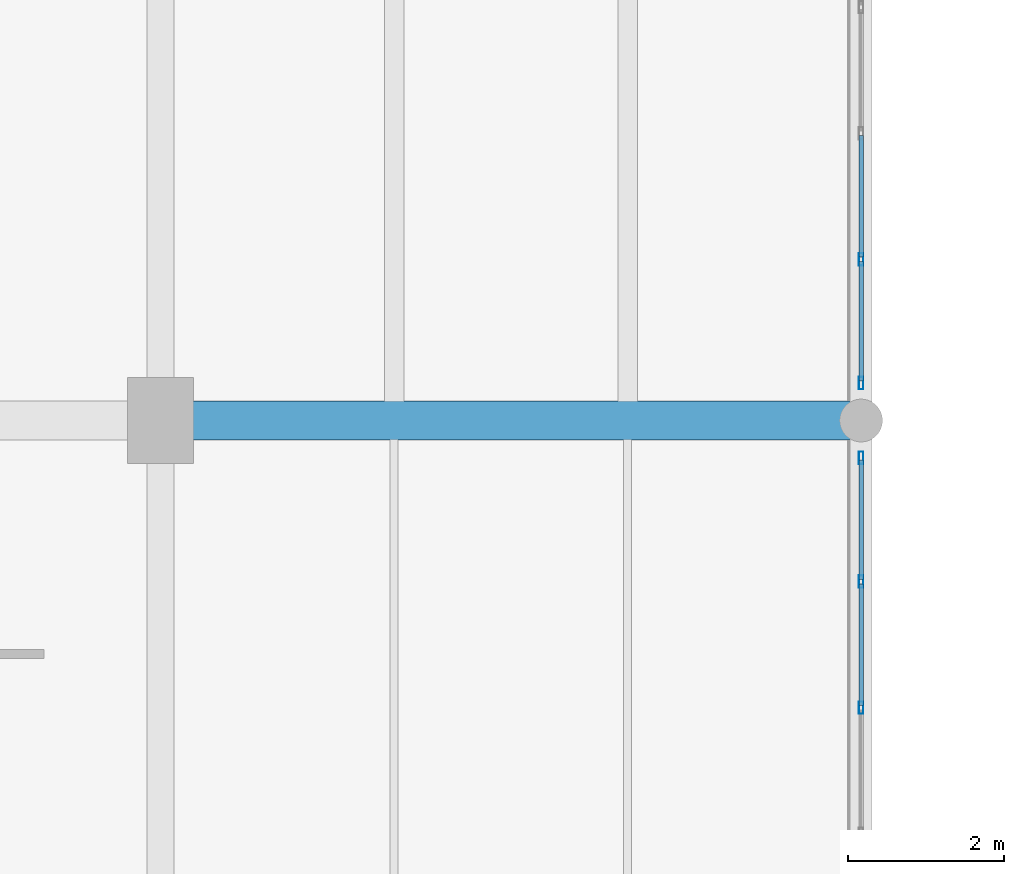
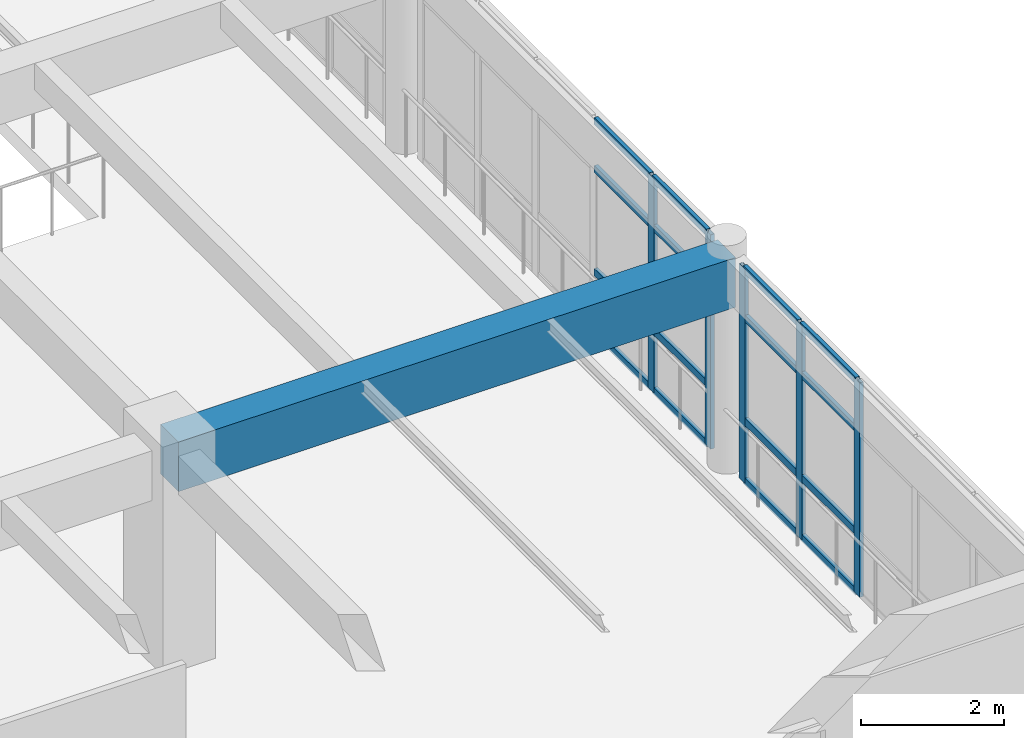
# One storey, part 24 of 156: 21 members, 1 beam, 2 elements without a shape of their own.
"""IFC4 building model written with IfcOpenShell, lengths in metres."""

from ifc_helpers import new_model, si_unit, direction, frame, origin, origin_2d, place, context, subcontext, project, spatial, rectangle, hollow_rectangle, extrude, material, layer, layer_set, material_profile, profile_set, type_object, element, aggregate, save


model = new_model("IFC4")

# Units and contexts
model_context = context("Model", 3, precision=1e-05, world=origin(), true_north=direction((0.0, 1.0)))
body_context = subcontext(model_context, "Body", "Model", "MODEL_VIEW")
ifc_project = project(units=[si_unit("LENGTHUNIT", "METRE"), si_unit("AREAUNIT", "SQUARE_METRE"), si_unit("VOLUMEUNIT", "CUBIC_METRE"), si_unit("PLANEANGLEUNIT", "RADIAN"), si_unit("MASSUNIT", "GRAM", prefix="KILO")], contexts=[model_context])

# Site, building, storey
site_placement = place(None, origin())
site = spatial("IfcSite", under=ifc_project, at=site_placement, CompositionType="ELEMENT")
building_placement = place(site_placement, origin())
building = spatial("IfcBuilding", under=site, at=building_placement, Name="Ornek Quay Market", CompositionType="ELEMENT")
storey_placement = place(building_placement, frame((0.0, 0.0, 4.5)))
storey = spatial("IfcBuildingStorey", under=building, at=storey_placement, Name="L01", CompositionType="ELEMENT", Elevation=4.5)

# Beam
ifc_material_1 = material(Name="Concrete C40/50", Category="concrete")
ifc_material_profile_1 = material_profile(ifc_material_1, rectangle(XDim=0.5, YDim=0.85009765625, at=origin_2d()), Name="RC 500x850", Category="concrete")
ifc_profile_set_1 = profile_set([ifc_material_profile_1], Name="Concrete C40/50")
beam_type = type_object("IfcBeamType", Name="BM-GAL-500x850", PredefinedType="BEAM", material=ifc_profile_set_1)
beam_placement = place(storey_placement, frame((63.0, 38.0, 3.235107421875), z_axis=(1.0, 0.0, 0.0), x_axis=(0.0, 1.0, 0.0)))
element("IfcBeam", 1, at=beam_placement, inside=storey, type_object=beam_type, Name="Primary beam B-GL1-066", PredefinedType="BEAM", context=body_context, shape_type="SweptSolid", body=[
    extrude(rectangle(XDim=0.5, YDim=0.85009765625, at=origin_2d()), origin(), (0.0, 0.0, 1.0), 9.0),
])

# Curtain wall, members
ifc_material_2 = material(Name="Anodised bronze aluminium and triple low-e glass", Category="aluminium")
ifc_layer = layer(ifc_material_2, 0.139892578125, Name="Anodised bronze aluminium and triple low-e glass", Category="aluminium")
ifc_layer_set = layer_set([ifc_layer], Name="Anodised bronze aluminium and triple low-e glass")
curtain_wall_type = type_object("IfcCurtainWallType", Name="CW-GALLERY-INT", PredefinedType="USERDEFINED", material=ifc_layer_set)
curtain_wall_1_placement = place(storey_placement, origin())
curtain_wall_1 = element("IfcCurtainWall", 2, at=curtain_wall_1_placement, inside=storey, type_object=curtain_wall_type, Name="Curtain wall CW-097", ObjectType="CURTAIN WALL", PredefinedType="USERDEFINED")
ifc_material_3 = material(Name="Anodised aluminium 6063-T6", Category="aluminium")
ifc_material_profile_2 = material_profile(ifc_material_3, hollow_rectangle(XDim=0.06005859375, YDim=0.159912109375, WallThickness=0.00390625, at=origin_2d()), Name="CW-MUL-60x160", Category="aluminium")
ifc_profile_set_2 = profile_set([ifc_material_profile_2], Name="Anodised aluminium 6063-T6")
member_type_1 = type_object("IfcMemberType", Name="CW-MUL-60x160", PredefinedType="MULLION", material=ifc_profile_set_2)
member_1_placement = place(storey_placement, frame((72.0, 34.31005859375, 0.0), z_axis=(0.0, 0.0, 1.0), x_axis=(-1.0, 0.0, 0.0)))
member_1 = element("IfcMember", 3, at=member_1_placement, type_object=member_type_1, Name="CW-097 mullion 4", PredefinedType="MULLION", context=body_context, shape_type="SweptSolid", body=[
    extrude(hollow_rectangle(XDim=0.06005859375, YDim=0.159912109375, WallThickness=0.00390625, at=origin_2d()), origin(), (0.0, 0.0, 1.0), 3.659912109375),
])
member_2_placement = place(storey_placement, frame((72.0, 35.929931640625, 0.0), z_axis=(0.0, 0.0, 1.0), x_axis=(-1.0, 0.0, 0.0)))
member_2 = element("IfcMember", 4, at=member_2_placement, type_object=member_type_1, Name="CW-097 mullion 5", PredefinedType="MULLION", context=body_context, shape_type="SweptSolid", body=[
    extrude(hollow_rectangle(XDim=0.06005859375, YDim=0.159912109375, WallThickness=0.00390625, at=origin_2d()), origin(), (0.0, 0.0, 1.0), 3.659912109375),
])
member_3_placement = place(storey_placement, frame((72.0, 37.52001953125, 0.0), z_axis=(0.0, 0.0, 1.0), x_axis=(-1.0, 0.0, 0.0)))
member_3 = element("IfcMember", 5, at=member_3_placement, type_object=member_type_1, Name="CW-097 mullion 6", PredefinedType="MULLION", context=body_context, shape_type="SweptSolid", body=[
    extrude(hollow_rectangle(XDim=0.06005859375, YDim=0.159912109375, WallThickness=0.00390625, at=origin_2d()), origin(), (0.0, 0.0, 1.0), 3.659912109375),
])

curtain_wall_2_placement = place(storey_placement, origin())
curtain_wall_2 = element("IfcCurtainWall", 6, at=curtain_wall_2_placement, inside=storey, type_object=curtain_wall_type, Name="Curtain wall CW-098", ObjectType="CURTAIN WALL", PredefinedType="USERDEFINED")
member_4_placement = place(storey_placement, frame((72.0, 38.47998046875, 0.0), z_axis=(0.0, 0.0, 1.0), x_axis=(-1.0, 0.0, 0.0)))
member_4 = element("IfcMember", 7, at=member_4_placement, type_object=member_type_1, Name="CW-098 mullion 1", PredefinedType="MULLION", context=body_context, shape_type="SweptSolid", body=[
    extrude(hollow_rectangle(XDim=0.06005859375, YDim=0.159912109375, WallThickness=0.00390625, at=origin_2d()), origin(), (0.0, 0.0, 1.0), 3.659912109375),
])
member_5_placement = place(storey_placement, frame((72.0, 40.070068359375, 0.0), z_axis=(0.0, 0.0, 1.0), x_axis=(-1.0, 0.0, 0.0)))
member_5 = element("IfcMember", 8, at=member_5_placement, type_object=member_type_1, Name="CW-098 mullion 2", PredefinedType="MULLION", context=body_context, shape_type="SweptSolid", body=[
    extrude(hollow_rectangle(XDim=0.06005859375, YDim=0.159912109375, WallThickness=0.00390625, at=origin_2d()), origin(), (0.0, 0.0, 1.0), 3.659912109375),
])

# Member
ifc_material_profile_3 = material_profile(ifc_material_3, hollow_rectangle(XDim=0.06005859375, YDim=0.1201171875, WallThickness=0.00390625, at=origin_2d()), Name="CW-TRN-60x120", Category="aluminium")
ifc_profile_set_3 = profile_set([ifc_material_profile_3], Name="Anodised aluminium 6063-T6")
member_type_2 = type_object("IfcMemberType", Name="CW-TRN-60x120", PredefinedType="USERDEFINED", material=ifc_profile_set_3)
member_6_placement = place(storey_placement, frame((72.0, 34.340087890625, 0.030029296875), z_axis=(0.0, 1.0, 0.0), x_axis=(-1.0, 0.0, 0.0)))
member_6 = element("IfcMember", 9, at=member_6_placement, type_object=member_type_2, Name="CW-097 transom 4.1", ObjectType="TRANSOM", PredefinedType="USERDEFINED", context=body_context, shape_type="SweptSolid", body=[
    extrude(hollow_rectangle(XDim=0.06005859375, YDim=0.1201171875, WallThickness=0.00390625, at=origin_2d()), origin(), (0.0, 0.0, 1.0), 1.559814453125),
])

member_7_placement = place(storey_placement, frame((72.0, 34.340087890625, 1.050048828125), z_axis=(0.0, 1.0, 0.0), x_axis=(-1.0, 0.0, 0.0)))
member_7 = element("IfcMember", 10, at=member_7_placement, type_object=member_type_2, Name="CW-097 transom 4.2", ObjectType="TRANSOM", PredefinedType="USERDEFINED", context=body_context, shape_type="SweptSolid", body=[
    extrude(hollow_rectangle(XDim=0.06005859375, YDim=0.1201171875, WallThickness=0.00390625, at=origin_2d()), origin(), (0.0, 0.0, 1.0), 1.559814453125),
])

member_8_placement = place(storey_placement, frame((72.0, 34.340087890625, 2.81005859375), z_axis=(0.0, 1.0, 0.0), x_axis=(-1.0, 0.0, 0.0)))
member_8 = element("IfcMember", 11, at=member_8_placement, type_object=member_type_2, Name="CW-097 transom 4.3", ObjectType="TRANSOM", PredefinedType="USERDEFINED", context=body_context, shape_type="SweptSolid", body=[
    extrude(hollow_rectangle(XDim=0.06005859375, YDim=0.1201171875, WallThickness=0.00390625, at=origin_2d()), origin(), (0.0, 0.0, 1.0), 1.559814453125),
])

member_9_placement = place(storey_placement, frame((72.0, 34.340087890625, 3.6298828125), z_axis=(0.0, 1.0, 0.0), x_axis=(-1.0, 0.0, 0.0)))
member_9 = element("IfcMember", 12, at=member_9_placement, type_object=member_type_2, Name="CW-097 transom 4.4", ObjectType="TRANSOM", PredefinedType="USERDEFINED", context=body_context, shape_type="SweptSolid", body=[
    extrude(hollow_rectangle(XDim=0.06005859375, YDim=0.1201171875, WallThickness=0.00390625, at=origin_2d()), origin(), (0.0, 0.0, 1.0), 1.559814453125),
])

member_10_placement = place(storey_placement, frame((72.0, 35.9599609375, 0.030029296875), z_axis=(0.0, 1.0, 0.0), x_axis=(-1.0, 0.0, 0.0)))
member_10 = element("IfcMember", 13, at=member_10_placement, type_object=member_type_2, Name="CW-097 transom 5.1", ObjectType="TRANSOM", PredefinedType="USERDEFINED", context=body_context, shape_type="SweptSolid", body=[
    extrude(hollow_rectangle(XDim=0.06005859375, YDim=0.1201171875, WallThickness=0.00390625, at=origin_2d()), origin(), (0.0, 0.0, 1.0), 1.530029296875),
])

member_11_placement = place(storey_placement, frame((72.0, 35.9599609375, 1.050048828125), z_axis=(0.0, 1.0, 0.0), x_axis=(-1.0, 0.0, 0.0)))
member_11 = element("IfcMember", 14, at=member_11_placement, type_object=member_type_2, Name="CW-097 transom 5.2", ObjectType="TRANSOM", PredefinedType="USERDEFINED", context=body_context, shape_type="SweptSolid", body=[
    extrude(hollow_rectangle(XDim=0.06005859375, YDim=0.1201171875, WallThickness=0.00390625, at=origin_2d()), origin(), (0.0, 0.0, 1.0), 1.530029296875),
])

member_12_placement = place(storey_placement, frame((72.0, 35.9599609375, 2.81005859375), z_axis=(0.0, 1.0, 0.0), x_axis=(-1.0, 0.0, 0.0)))
member_12 = element("IfcMember", 15, at=member_12_placement, type_object=member_type_2, Name="CW-097 transom 5.3", ObjectType="TRANSOM", PredefinedType="USERDEFINED", context=body_context, shape_type="SweptSolid", body=[
    extrude(hollow_rectangle(XDim=0.06005859375, YDim=0.1201171875, WallThickness=0.00390625, at=origin_2d()), origin(), (0.0, 0.0, 1.0), 1.530029296875),
])

member_13_placement = place(storey_placement, frame((72.0, 35.9599609375, 3.6298828125), z_axis=(0.0, 1.0, 0.0), x_axis=(-1.0, 0.0, 0.0)))
member_13 = element("IfcMember", 16, at=member_13_placement, type_object=member_type_2, Name="CW-097 transom 5.4", ObjectType="TRANSOM", PredefinedType="USERDEFINED", context=body_context, shape_type="SweptSolid", body=[
    extrude(hollow_rectangle(XDim=0.06005859375, YDim=0.1201171875, WallThickness=0.00390625, at=origin_2d()), origin(), (0.0, 0.0, 1.0), 1.530029296875),
])

aggregate(curtain_wall_1, [member_1, member_2, member_3, member_6, member_7, member_8, member_9, member_10, member_11, member_12, member_13])

member_14_placement = place(storey_placement, frame((72.0, 38.510009765625, 0.030029296875), z_axis=(0.0, 1.0, 0.0), x_axis=(-1.0, 0.0, 0.0)))
member_14 = element("IfcMember", 17, at=member_14_placement, type_object=member_type_2, Name="CW-098 transom 1.1", ObjectType="TRANSOM", PredefinedType="USERDEFINED", context=body_context, shape_type="SweptSolid", body=[
    extrude(hollow_rectangle(XDim=0.06005859375, YDim=0.1201171875, WallThickness=0.00390625, at=origin_2d()), origin(), (0.0, 0.0, 1.0), 1.530029296875),
])

member_15_placement = place(storey_placement, frame((72.0, 38.510009765625, 1.050048828125), z_axis=(0.0, 1.0, 0.0), x_axis=(-1.0, 0.0, 0.0)))
member_15 = element("IfcMember", 18, at=member_15_placement, type_object=member_type_2, Name="CW-098 transom 1.2", ObjectType="TRANSOM", PredefinedType="USERDEFINED", context=body_context, shape_type="SweptSolid", body=[
    extrude(hollow_rectangle(XDim=0.06005859375, YDim=0.1201171875, WallThickness=0.00390625, at=origin_2d()), origin(), (0.0, 0.0, 1.0), 1.530029296875),
])

member_16_placement = place(storey_placement, frame((72.0, 38.510009765625, 2.81005859375), z_axis=(0.0, 1.0, 0.0), x_axis=(-1.0, 0.0, 0.0)))
member_16 = element("IfcMember", 19, at=member_16_placement, type_object=member_type_2, Name="CW-098 transom 1.3", ObjectType="TRANSOM", PredefinedType="USERDEFINED", context=body_context, shape_type="SweptSolid", body=[
    extrude(hollow_rectangle(XDim=0.06005859375, YDim=0.1201171875, WallThickness=0.00390625, at=origin_2d()), origin(), (0.0, 0.0, 1.0), 1.530029296875),
])

member_17_placement = place(storey_placement, frame((72.0, 38.510009765625, 3.6298828125), z_axis=(0.0, 1.0, 0.0), x_axis=(-1.0, 0.0, 0.0)))
member_17 = element("IfcMember", 20, at=member_17_placement, type_object=member_type_2, Name="CW-098 transom 1.4", ObjectType="TRANSOM", PredefinedType="USERDEFINED", context=body_context, shape_type="SweptSolid", body=[
    extrude(hollow_rectangle(XDim=0.06005859375, YDim=0.1201171875, WallThickness=0.00390625, at=origin_2d()), origin(), (0.0, 0.0, 1.0), 1.530029296875),
])

member_18_placement = place(storey_placement, frame((72.0, 40.10009765625, 0.030029296875), z_axis=(0.0, 1.0, 0.0), x_axis=(-1.0, 0.0, 0.0)))
member_18 = element("IfcMember", 21, at=member_18_placement, type_object=member_type_2, Name="CW-098 transom 2.1", ObjectType="TRANSOM", PredefinedType="USERDEFINED", context=body_context, shape_type="SweptSolid", body=[
    extrude(hollow_rectangle(XDim=0.06005859375, YDim=0.1201171875, WallThickness=0.00390625, at=origin_2d()), origin(), (0.0, 0.0, 1.0), 1.559814453125),
])

member_19_placement = place(storey_placement, frame((72.0, 40.10009765625, 1.050048828125), z_axis=(0.0, 1.0, 0.0), x_axis=(-1.0, 0.0, 0.0)))
member_19 = element("IfcMember", 22, at=member_19_placement, type_object=member_type_2, Name="CW-098 transom 2.2", ObjectType="TRANSOM", PredefinedType="USERDEFINED", context=body_context, shape_type="SweptSolid", body=[
    extrude(hollow_rectangle(XDim=0.06005859375, YDim=0.1201171875, WallThickness=0.00390625, at=origin_2d()), origin(), (0.0, 0.0, 1.0), 1.559814453125),
])

member_20_placement = place(storey_placement, frame((72.0, 40.10009765625, 2.81005859375), z_axis=(0.0, 1.0, 0.0), x_axis=(-1.0, 0.0, 0.0)))
member_20 = element("IfcMember", 23, at=member_20_placement, type_object=member_type_2, Name="CW-098 transom 2.3", ObjectType="TRANSOM", PredefinedType="USERDEFINED", context=body_context, shape_type="SweptSolid", body=[
    extrude(hollow_rectangle(XDim=0.06005859375, YDim=0.1201171875, WallThickness=0.00390625, at=origin_2d()), origin(), (0.0, 0.0, 1.0), 1.559814453125),
])

member_21_placement = place(storey_placement, frame((72.0, 40.10009765625, 3.6298828125), z_axis=(0.0, 1.0, 0.0), x_axis=(-1.0, 0.0, 0.0)))
member_21 = element("IfcMember", 24, at=member_21_placement, type_object=member_type_2, Name="CW-098 transom 2.4", ObjectType="TRANSOM", PredefinedType="USERDEFINED", context=body_context, shape_type="SweptSolid", body=[
    extrude(hollow_rectangle(XDim=0.06005859375, YDim=0.1201171875, WallThickness=0.00390625, at=origin_2d()), origin(), (0.0, 0.0, 1.0), 1.559814453125),
])

aggregate(curtain_wall_2, [member_4, member_5, member_14, member_15, member_16, member_17, member_18, member_19, member_20, member_21])

save(model, "model.ifc")
